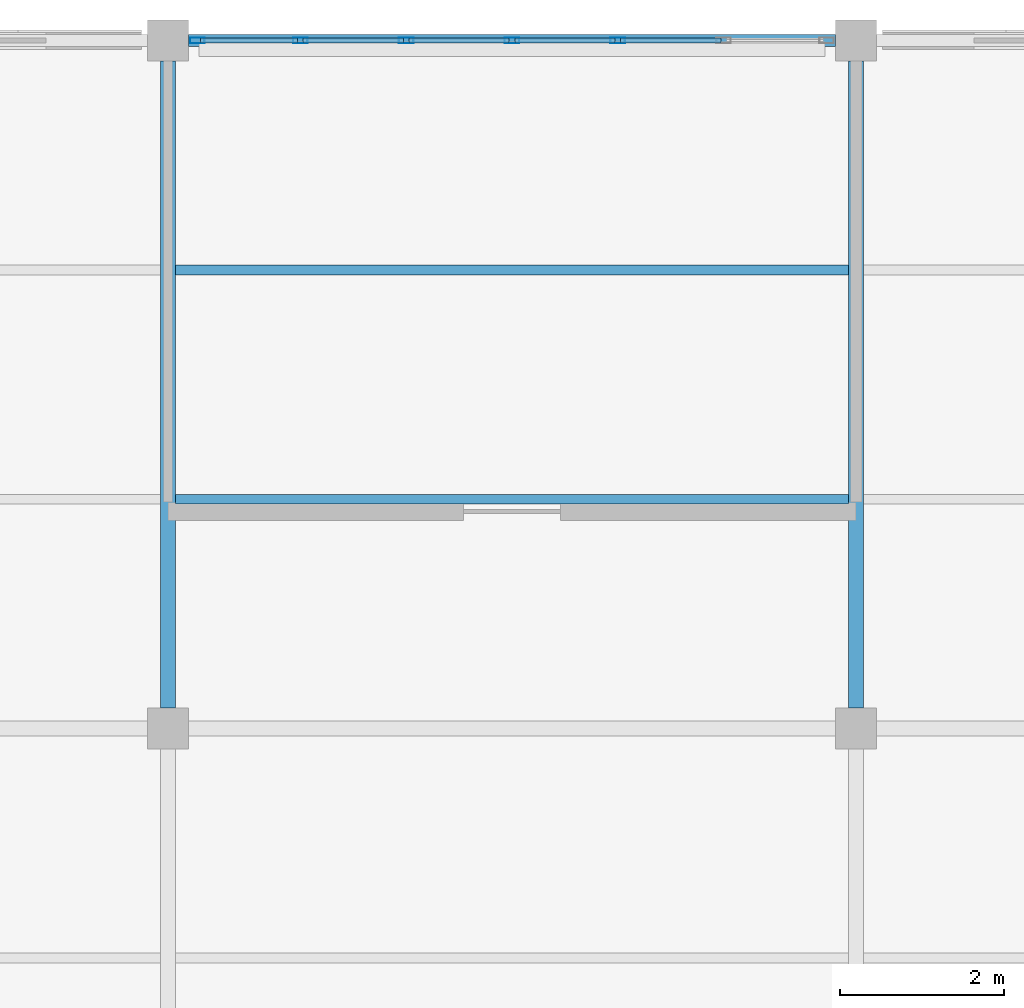
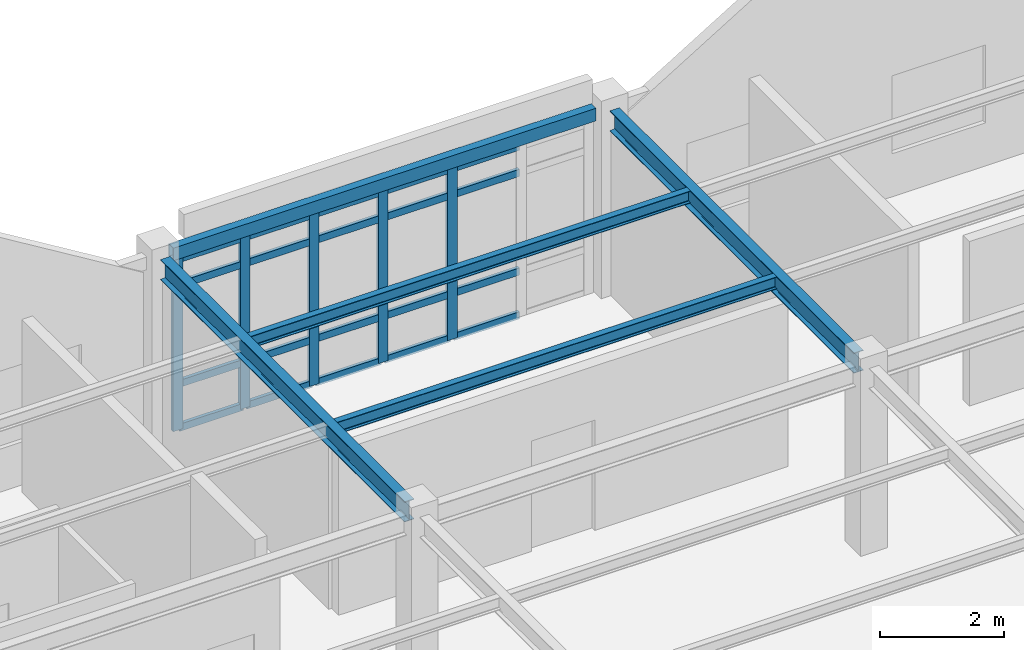
# One storey, part 24 of 45: 25 members, 5 beams, 1 element without a shape of its own.
"""IFC4 building model written with IfcOpenShell, lengths in metres."""

from ifc_helpers import new_model, si_unit, direction, frame, origin, origin_2d, place, context, subcontext, project, spatial, hollow_rectangle, i_section, extrude, material, layer, layer_set, material_profile, profile_set, type_object, element, aggregate, save


model = new_model("IFC4")

# Units and contexts
model_context = context("Model", 3, precision=1e-05, world=origin(), true_north=direction((0.0, 1.0)))
body_context = subcontext(model_context, "Body", "Model", "MODEL_VIEW")
ifc_project = project(units=[si_unit("LENGTHUNIT", "METRE"), si_unit("AREAUNIT", "SQUARE_METRE"), si_unit("VOLUMEUNIT", "CUBIC_METRE"), si_unit("PLANEANGLEUNIT", "RADIAN"), si_unit("MASSUNIT", "GRAM", prefix="KILO")], contexts=[model_context])

# Site, building, storey
site_placement = place(None, origin())
site = spatial("IfcSite", under=ifc_project, at=site_placement, CompositionType="ELEMENT")
building_placement = place(site_placement, origin())
building = spatial("IfcBuilding", under=site, at=building_placement, Name="Bramfleet General Hospital", CompositionType="ELEMENT")
storey_placement = place(building_placement, frame((0.0, 0.0, 30.300048828125)))
storey = spatial("IfcBuildingStorey", under=building, at=storey_placement, Name="L07", CompositionType="ELEMENT", Elevation=30.300048828125)

# Beams
ifc_material_1 = material(Name="Steel S355", Category="steel")
ifc_material_profile_1 = material_profile(ifc_material_1, i_section(OverallWidth=0.1201171875, OverallDepth=0.239990234375, WebThickness=0.006103515625, FlangeThickness=0.009765625, FilletRadius=0.014892578125, at=origin_2d()), Name="IPE 240")
ifc_profile_set_1 = profile_set([ifc_material_profile_1], Name="Steel S355")
beam_type_1 = type_object("IfcBeamType", Name="BM-IPE240", PredefinedType="JOIST", material=ifc_profile_set_1)
for number, where, z_axis, x_axis, name in (
    (1, (100.889892578125, 112.0, 3.5400390625), (1.0, 0.0, 0.0), (0.0, 1.0, 0.0), "L07 Secondary Joist 12-13-1"),
    (2, (100.889892578125, 114.800048828125, 3.5400390625), (1.0, 0.0, 0.0), (0.0, 1.0, 0.0), "L07 Secondary Joist 12-13-2"),
):
    element("IfcBeam", number, at=place(storey_placement, frame(where, z_axis=z_axis, x_axis=x_axis)), inside=storey, type_object=beam_type_1, Name=name, PredefinedType="JOIST", context=body_context, shape_type="SweptSolid", body=[
        extrude(i_section(OverallWidth=0.1201171875, OverallDepth=0.239990234375, WebThickness=0.006103515625, FlangeThickness=0.009765625, FilletRadius=0.014892578125, at=origin_2d()), origin(), (0.0, 0.0, 1.0), 8.22021484375),
    ])
ifc_material_profile_2 = material_profile(ifc_material_1, i_section(OverallWidth=0.179931640625, OverallDepth=0.39990234375, WebThickness=0.008544921875, FlangeThickness=0.013427734375, FilletRadius=0.02099609375, at=origin_2d()), Name="IPE 400")
ifc_profile_set_2 = profile_set([ifc_material_profile_2], Name="Steel S355")
beam_type_2 = type_object("IfcBeamType", Name="BM-IPE400", PredefinedType="BEAM", material=ifc_profile_set_2)
for number, where, z_axis, x_axis, name in (
    (3, (100.800048828125, 109.449951171875, 3.4599609375), (0.0, 1.0, 0.0), (-1.0, 0.0, 0.0), "L07 Grid Beam Y 12-13"),
    (4, (109.199951171875, 109.449951171875, 3.4599609375), (0.0, 1.0, 0.0), (-1.0, 0.0, 0.0), "L07 Grid Beam Y 13-13"),
):
    element("IfcBeam", number, at=place(storey_placement, frame(where, z_axis=z_axis, x_axis=x_axis)), inside=storey, type_object=beam_type_2, Name=name, PredefinedType="BEAM", context=body_context, shape_type="SweptSolid", body=[
        extrude(i_section(OverallWidth=0.179931640625, OverallDepth=0.39990234375, WebThickness=0.008544921875, FlangeThickness=0.013427734375, FilletRadius=0.02099609375, at=origin_2d()), origin(), (0.0, 0.0, 1.0), 7.900146484375),
    ])
ifc_material_profile_3 = material_profile(ifc_material_1, hollow_rectangle(XDim=0.14990234375, YDim=0.25, WallThickness=0.010009765625, at=origin_2d()), Name="RHS 250x150x10.0")
ifc_profile_set_3 = profile_set([ifc_material_profile_3], Name="Steel S355")
beam_type_3 = type_object("IfcBeamType", Name="BM-RHS250", PredefinedType="SPANDREL", material=ifc_profile_set_3)
beam_placement = place(storey_placement, frame((101.050048828125, 117.60009765625, 3.534912109375), z_axis=(1.0, 0.0, 0.0), x_axis=(0.0, 1.0, 0.0)))
element("IfcBeam", 5, at=beam_placement, inside=storey, type_object=beam_type_3, Name="L07 Grid Beam X 12-14", PredefinedType="SPANDREL", context=body_context, shape_type="SweptSolid", body=[
    extrude(hollow_rectangle(XDim=0.14990234375, YDim=0.25, WallThickness=0.010009765625, at=origin_2d()), origin(), (0.0, 0.0, 1.0), 7.89990234375),
])

# Curtain wall, members
ifc_material_2 = material(Name="Anodised aluminium and low-E triple glazing", Category="aluminium")
ifc_layer = layer(ifc_material_2, 0.179931640625, Name="CWT-CW-09")
ifc_layer_set = layer_set([ifc_layer], Name="Anodised aluminium and low-E triple glazing")
curtain_wall_type = type_object("IfcCurtainWallType", Name="CWT-CW-09", PredefinedType="USERDEFINED", material=ifc_layer_set)
curtain_wall_placement = place(storey_placement, origin())
curtain_wall = element("IfcCurtainWall", 6, at=curtain_wall_placement, inside=storey, type_object=curtain_wall_type, Name="L07 Curtain Wall 225", ObjectType="Unitised curtain wall", PredefinedType="USERDEFINED")
ifc_material_3 = material(Name="Anodised aluminium EN AW-6060", Category="aluminium")
ifc_material_profile_4 = material_profile(ifc_material_3, hollow_rectangle(XDim=0.070068359375, YDim=0.179931640625, WallThickness=0.00390625, at=origin_2d()), Name="ALU 180x70x4.0")
ifc_profile_set_4 = profile_set([ifc_material_profile_4], Name="Anodised aluminium EN AW-6060")
member_type_1 = type_object("IfcMemberType", Name="CWM-ALU180", PredefinedType="MULLION", material=ifc_profile_set_4)
member_1_placement = place(storey_placement, frame((101.159912109375, 117.60009765625, 0.0), z_axis=(0.0, 0.0, 1.0), x_axis=(0.0, 1.0, 0.0)))
member_1 = element("IfcMember", 7, at=member_1_placement, type_object=member_type_1, Name="CW-09 mullion 1", PredefinedType="MULLION", context=body_context, shape_type="SweptSolid", body=[
    extrude(hollow_rectangle(XDim=0.070068359375, YDim=0.179931640625, WallThickness=0.00390625, at=origin_2d()), origin(), (0.0, 0.0, 1.0), 3.39990234375),
])
member_2_placement = place(storey_placement, frame((102.416748046875, 117.60009765625, 0.0), z_axis=(0.0, 0.0, 1.0), x_axis=(0.0, 1.0, 0.0)))
member_2 = element("IfcMember", 8, at=member_2_placement, type_object=member_type_1, Name="CW-09 mullion 2", PredefinedType="MULLION", context=body_context, shape_type="SweptSolid", body=[
    extrude(hollow_rectangle(XDim=0.070068359375, YDim=0.179931640625, WallThickness=0.00390625, at=origin_2d()), origin(), (0.0, 0.0, 1.0), 3.39990234375),
])
member_3_placement = place(storey_placement, frame((103.708251953125, 117.60009765625, 0.0), z_axis=(0.0, 0.0, 1.0), x_axis=(0.0, 1.0, 0.0)))
member_3 = element("IfcMember", 9, at=member_3_placement, type_object=member_type_1, Name="CW-09 mullion 3", PredefinedType="MULLION", context=body_context, shape_type="SweptSolid", body=[
    extrude(hollow_rectangle(XDim=0.070068359375, YDim=0.179931640625, WallThickness=0.00390625, at=origin_2d()), origin(), (0.0, 0.0, 1.0), 3.39990234375),
])
member_4_placement = place(storey_placement, frame((105.0, 117.60009765625, 0.0), z_axis=(0.0, 0.0, 1.0), x_axis=(0.0, 1.0, 0.0)))
member_4 = element("IfcMember", 10, at=member_4_placement, type_object=member_type_1, Name="CW-09 mullion 4", PredefinedType="MULLION", context=body_context, shape_type="SweptSolid", body=[
    extrude(hollow_rectangle(XDim=0.070068359375, YDim=0.179931640625, WallThickness=0.00390625, at=origin_2d()), origin(), (0.0, 0.0, 1.0), 3.39990234375),
])
member_5_placement = place(storey_placement, frame((106.291748046875, 117.60009765625, 0.0), z_axis=(0.0, 0.0, 1.0), x_axis=(0.0, 1.0, 0.0)))
member_5 = element("IfcMember", 11, at=member_5_placement, type_object=member_type_1, Name="CW-09 mullion 5", PredefinedType="MULLION", context=body_context, shape_type="SweptSolid", body=[
    extrude(hollow_rectangle(XDim=0.070068359375, YDim=0.179931640625, WallThickness=0.00390625, at=origin_2d()), origin(), (0.0, 0.0, 1.0), 3.39990234375),
])
ifc_material_profile_5 = material_profile(ifc_material_3, hollow_rectangle(XDim=0.06494140625, YDim=0.139892578125, WallThickness=0.00390625, at=origin_2d()), Name="ALU 140x65x4.0")
ifc_profile_set_5 = profile_set([ifc_material_profile_5], Name="Anodised aluminium EN AW-6060")
member_type_2 = type_object("IfcMemberType", Name="CWT-ALU140", PredefinedType="USERDEFINED", material=ifc_profile_set_5)
member_6_placement = place(storey_placement, frame((101.195068359375, 117.60009765625, 0.032470703125), z_axis=(1.0, 0.0, 0.0), x_axis=(0.0, 1.0, 0.0)))
member_6 = element("IfcMember", 12, at=member_6_placement, type_object=member_type_2, Name="CW-09 transom 1.1", ObjectType="TRANSOM", PredefinedType="USERDEFINED", context=body_context, shape_type="SweptSolid", body=[
    extrude(hollow_rectangle(XDim=0.06494140625, YDim=0.139892578125, WallThickness=0.00390625, at=origin_2d()), origin(), (0.0, 0.0, 1.0), 1.1865234375),
])
member_7_placement = place(storey_placement, frame((101.195068359375, 117.60009765625, 0.89990234375), z_axis=(1.0, 0.0, 0.0), x_axis=(0.0, 1.0, 0.0)))
member_7 = element("IfcMember", 13, at=member_7_placement, type_object=member_type_2, Name="CW-09 transom 1.2", ObjectType="TRANSOM", PredefinedType="USERDEFINED", context=body_context, shape_type="SweptSolid", body=[
    extrude(hollow_rectangle(XDim=0.06494140625, YDim=0.139892578125, WallThickness=0.00390625, at=origin_2d()), origin(), (0.0, 0.0, 1.0), 1.1865234375),
])
member_8_placement = place(storey_placement, frame((101.195068359375, 117.60009765625, 2.849853515625), z_axis=(1.0, 0.0, 0.0), x_axis=(0.0, 1.0, 0.0)))
member_8 = element("IfcMember", 14, at=member_8_placement, type_object=member_type_2, Name="CW-09 transom 1.3", ObjectType="TRANSOM", PredefinedType="USERDEFINED", context=body_context, shape_type="SweptSolid", body=[
    extrude(hollow_rectangle(XDim=0.06494140625, YDim=0.139892578125, WallThickness=0.00390625, at=origin_2d()), origin(), (0.0, 0.0, 1.0), 1.1865234375),
])
member_9_placement = place(storey_placement, frame((101.195068359375, 117.60009765625, 3.367431640625), z_axis=(1.0, 0.0, 0.0), x_axis=(0.0, 1.0, 0.0)))
member_9 = element("IfcMember", 15, at=member_9_placement, type_object=member_type_2, Name="CW-09 transom 1.4", ObjectType="TRANSOM", PredefinedType="USERDEFINED", context=body_context, shape_type="SweptSolid", body=[
    extrude(hollow_rectangle(XDim=0.06494140625, YDim=0.139892578125, WallThickness=0.00390625, at=origin_2d()), origin(), (0.0, 0.0, 1.0), 1.1865234375),
])
member_10_placement = place(storey_placement, frame((102.45166015625, 117.60009765625, 0.032470703125), z_axis=(1.0, 0.0, 0.0), x_axis=(0.0, 1.0, 0.0)))
member_10 = element("IfcMember", 16, at=member_10_placement, type_object=member_type_2, Name="CW-09 transom 2.1", ObjectType="TRANSOM", PredefinedType="USERDEFINED", context=body_context, shape_type="SweptSolid", body=[
    extrude(hollow_rectangle(XDim=0.06494140625, YDim=0.139892578125, WallThickness=0.00390625, at=origin_2d()), origin(), (0.0, 0.0, 1.0), 1.2216796875),
])
member_11_placement = place(storey_placement, frame((102.45166015625, 117.60009765625, 0.89990234375), z_axis=(1.0, 0.0, 0.0), x_axis=(0.0, 1.0, 0.0)))
member_11 = element("IfcMember", 17, at=member_11_placement, type_object=member_type_2, Name="CW-09 transom 2.2", ObjectType="TRANSOM", PredefinedType="USERDEFINED", context=body_context, shape_type="SweptSolid", body=[
    extrude(hollow_rectangle(XDim=0.06494140625, YDim=0.139892578125, WallThickness=0.00390625, at=origin_2d()), origin(), (0.0, 0.0, 1.0), 1.2216796875),
])
member_12_placement = place(storey_placement, frame((102.45166015625, 117.60009765625, 2.849853515625), z_axis=(1.0, 0.0, 0.0), x_axis=(0.0, 1.0, 0.0)))
member_12 = element("IfcMember", 18, at=member_12_placement, type_object=member_type_2, Name="CW-09 transom 2.3", ObjectType="TRANSOM", PredefinedType="USERDEFINED", context=body_context, shape_type="SweptSolid", body=[
    extrude(hollow_rectangle(XDim=0.06494140625, YDim=0.139892578125, WallThickness=0.00390625, at=origin_2d()), origin(), (0.0, 0.0, 1.0), 1.2216796875),
])
member_13_placement = place(storey_placement, frame((102.45166015625, 117.60009765625, 3.367431640625), z_axis=(1.0, 0.0, 0.0), x_axis=(0.0, 1.0, 0.0)))
member_13 = element("IfcMember", 19, at=member_13_placement, type_object=member_type_2, Name="CW-09 transom 2.4", ObjectType="TRANSOM", PredefinedType="USERDEFINED", context=body_context, shape_type="SweptSolid", body=[
    extrude(hollow_rectangle(XDim=0.06494140625, YDim=0.139892578125, WallThickness=0.00390625, at=origin_2d()), origin(), (0.0, 0.0, 1.0), 1.2216796875),
])
member_14_placement = place(storey_placement, frame((103.743408203125, 117.60009765625, 0.032470703125), z_axis=(1.0, 0.0, 0.0), x_axis=(0.0, 1.0, 0.0)))
member_14 = element("IfcMember", 20, at=member_14_placement, type_object=member_type_2, Name="CW-09 transom 3.1", ObjectType="TRANSOM", PredefinedType="USERDEFINED", context=body_context, shape_type="SweptSolid", body=[
    extrude(hollow_rectangle(XDim=0.06494140625, YDim=0.139892578125, WallThickness=0.00390625, at=origin_2d()), origin(), (0.0, 0.0, 1.0), 1.2216796875),
])
member_15_placement = place(storey_placement, frame((103.743408203125, 117.60009765625, 0.89990234375), z_axis=(1.0, 0.0, 0.0), x_axis=(0.0, 1.0, 0.0)))
member_15 = element("IfcMember", 21, at=member_15_placement, type_object=member_type_2, Name="CW-09 transom 3.2", ObjectType="TRANSOM", PredefinedType="USERDEFINED", context=body_context, shape_type="SweptSolid", body=[
    extrude(hollow_rectangle(XDim=0.06494140625, YDim=0.139892578125, WallThickness=0.00390625, at=origin_2d()), origin(), (0.0, 0.0, 1.0), 1.2216796875),
])
member_16_placement = place(storey_placement, frame((103.743408203125, 117.60009765625, 2.849853515625), z_axis=(1.0, 0.0, 0.0), x_axis=(0.0, 1.0, 0.0)))
member_16 = element("IfcMember", 22, at=member_16_placement, type_object=member_type_2, Name="CW-09 transom 3.3", ObjectType="TRANSOM", PredefinedType="USERDEFINED", context=body_context, shape_type="SweptSolid", body=[
    extrude(hollow_rectangle(XDim=0.06494140625, YDim=0.139892578125, WallThickness=0.00390625, at=origin_2d()), origin(), (0.0, 0.0, 1.0), 1.2216796875),
])
member_17_placement = place(storey_placement, frame((103.743408203125, 117.60009765625, 3.367431640625), z_axis=(1.0, 0.0, 0.0), x_axis=(0.0, 1.0, 0.0)))
member_17 = element("IfcMember", 23, at=member_17_placement, type_object=member_type_2, Name="CW-09 transom 3.4", ObjectType="TRANSOM", PredefinedType="USERDEFINED", context=body_context, shape_type="SweptSolid", body=[
    extrude(hollow_rectangle(XDim=0.06494140625, YDim=0.139892578125, WallThickness=0.00390625, at=origin_2d()), origin(), (0.0, 0.0, 1.0), 1.2216796875),
])
member_18_placement = place(storey_placement, frame((105.034912109375, 117.60009765625, 0.032470703125), z_axis=(1.0, 0.0, 0.0), x_axis=(0.0, 1.0, 0.0)))
member_18 = element("IfcMember", 24, at=member_18_placement, type_object=member_type_2, Name="CW-09 transom 4.1", ObjectType="TRANSOM", PredefinedType="USERDEFINED", context=body_context, shape_type="SweptSolid", body=[
    extrude(hollow_rectangle(XDim=0.06494140625, YDim=0.139892578125, WallThickness=0.00390625, at=origin_2d()), origin(), (0.0, 0.0, 1.0), 1.2216796875),
])
member_19_placement = place(storey_placement, frame((105.034912109375, 117.60009765625, 0.89990234375), z_axis=(1.0, 0.0, 0.0), x_axis=(0.0, 1.0, 0.0)))
member_19 = element("IfcMember", 25, at=member_19_placement, type_object=member_type_2, Name="CW-09 transom 4.2", ObjectType="TRANSOM", PredefinedType="USERDEFINED", context=body_context, shape_type="SweptSolid", body=[
    extrude(hollow_rectangle(XDim=0.06494140625, YDim=0.139892578125, WallThickness=0.00390625, at=origin_2d()), origin(), (0.0, 0.0, 1.0), 1.2216796875),
])
member_20_placement = place(storey_placement, frame((105.034912109375, 117.60009765625, 2.849853515625), z_axis=(1.0, 0.0, 0.0), x_axis=(0.0, 1.0, 0.0)))
member_20 = element("IfcMember", 26, at=member_20_placement, type_object=member_type_2, Name="CW-09 transom 4.3", ObjectType="TRANSOM", PredefinedType="USERDEFINED", context=body_context, shape_type="SweptSolid", body=[
    extrude(hollow_rectangle(XDim=0.06494140625, YDim=0.139892578125, WallThickness=0.00390625, at=origin_2d()), origin(), (0.0, 0.0, 1.0), 1.2216796875),
])
member_21_placement = place(storey_placement, frame((105.034912109375, 117.60009765625, 3.367431640625), z_axis=(1.0, 0.0, 0.0), x_axis=(0.0, 1.0, 0.0)))
member_21 = element("IfcMember", 27, at=member_21_placement, type_object=member_type_2, Name="CW-09 transom 4.4", ObjectType="TRANSOM", PredefinedType="USERDEFINED", context=body_context, shape_type="SweptSolid", body=[
    extrude(hollow_rectangle(XDim=0.06494140625, YDim=0.139892578125, WallThickness=0.00390625, at=origin_2d()), origin(), (0.0, 0.0, 1.0), 1.2216796875),
])
member_22_placement = place(storey_placement, frame((106.32666015625, 117.60009765625, 0.032470703125), z_axis=(1.0, 0.0, 0.0), x_axis=(0.0, 1.0, 0.0)))
member_22 = element("IfcMember", 28, at=member_22_placement, type_object=member_type_2, Name="CW-09 transom 5.1", ObjectType="TRANSOM", PredefinedType="USERDEFINED", context=body_context, shape_type="SweptSolid", body=[
    extrude(hollow_rectangle(XDim=0.06494140625, YDim=0.139892578125, WallThickness=0.00390625, at=origin_2d()), origin(), (0.0, 0.0, 1.0), 1.2216796875),
])
member_23_placement = place(storey_placement, frame((106.32666015625, 117.60009765625, 0.89990234375), z_axis=(1.0, 0.0, 0.0), x_axis=(0.0, 1.0, 0.0)))
member_23 = element("IfcMember", 29, at=member_23_placement, type_object=member_type_2, Name="CW-09 transom 5.2", ObjectType="TRANSOM", PredefinedType="USERDEFINED", context=body_context, shape_type="SweptSolid", body=[
    extrude(hollow_rectangle(XDim=0.06494140625, YDim=0.139892578125, WallThickness=0.00390625, at=origin_2d()), origin(), (0.0, 0.0, 1.0), 1.2216796875),
])
member_24_placement = place(storey_placement, frame((106.32666015625, 117.60009765625, 2.849853515625), z_axis=(1.0, 0.0, 0.0), x_axis=(0.0, 1.0, 0.0)))
member_24 = element("IfcMember", 30, at=member_24_placement, type_object=member_type_2, Name="CW-09 transom 5.3", ObjectType="TRANSOM", PredefinedType="USERDEFINED", context=body_context, shape_type="SweptSolid", body=[
    extrude(hollow_rectangle(XDim=0.06494140625, YDim=0.139892578125, WallThickness=0.00390625, at=origin_2d()), origin(), (0.0, 0.0, 1.0), 1.2216796875),
])
member_25_placement = place(storey_placement, frame((106.32666015625, 117.60009765625, 3.367431640625), z_axis=(1.0, 0.0, 0.0), x_axis=(0.0, 1.0, 0.0)))
member_25 = element("IfcMember", 31, at=member_25_placement, type_object=member_type_2, Name="CW-09 transom 5.4", ObjectType="TRANSOM", PredefinedType="USERDEFINED", context=body_context, shape_type="SweptSolid", body=[
    extrude(hollow_rectangle(XDim=0.06494140625, YDim=0.139892578125, WallThickness=0.00390625, at=origin_2d()), origin(), (0.0, 0.0, 1.0), 1.2216796875),
])
aggregate(curtain_wall, [member_1, member_2, member_3, member_4, member_5, member_6, member_7, member_8, member_9, member_10, member_11, member_12, member_13, member_14, member_15, member_16, member_17, member_18, member_19, member_20, member_21, member_22, member_23, member_24, member_25])

save(model, "model.ifc")
